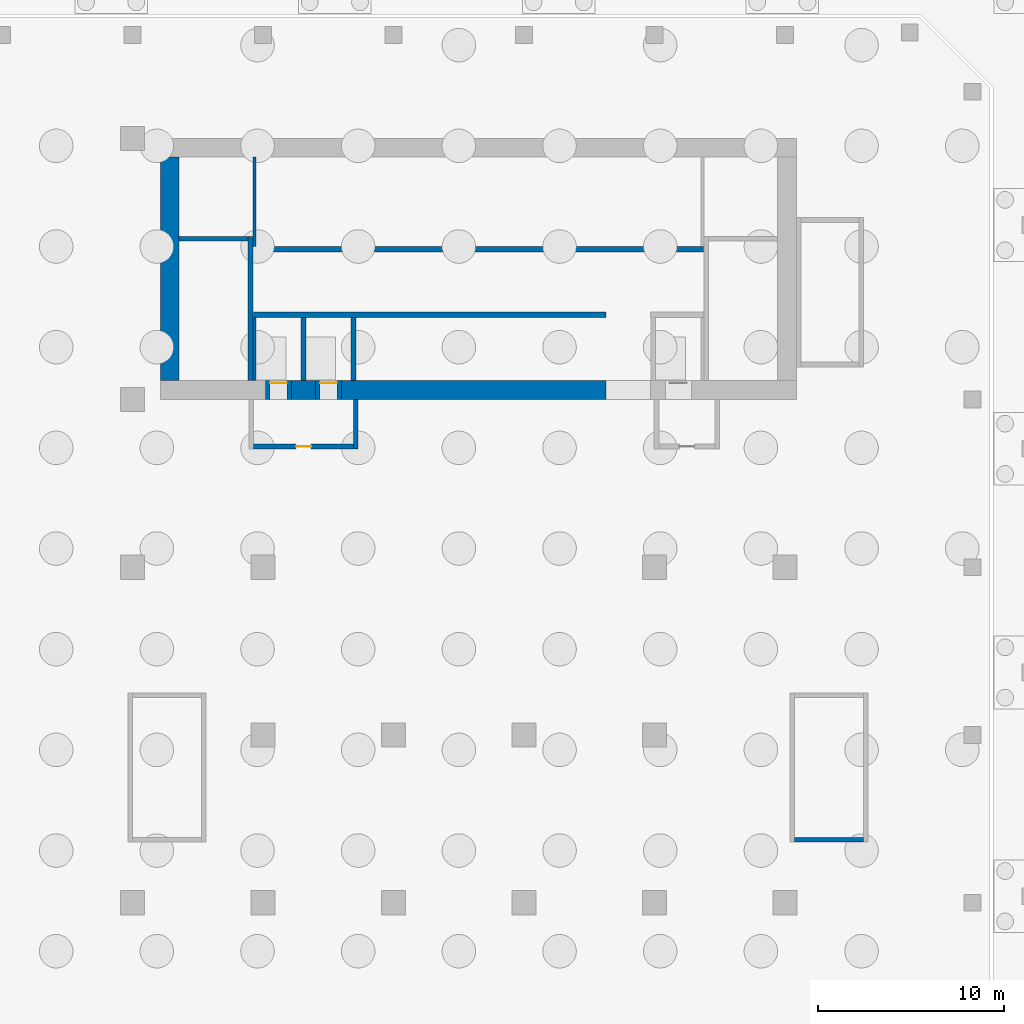
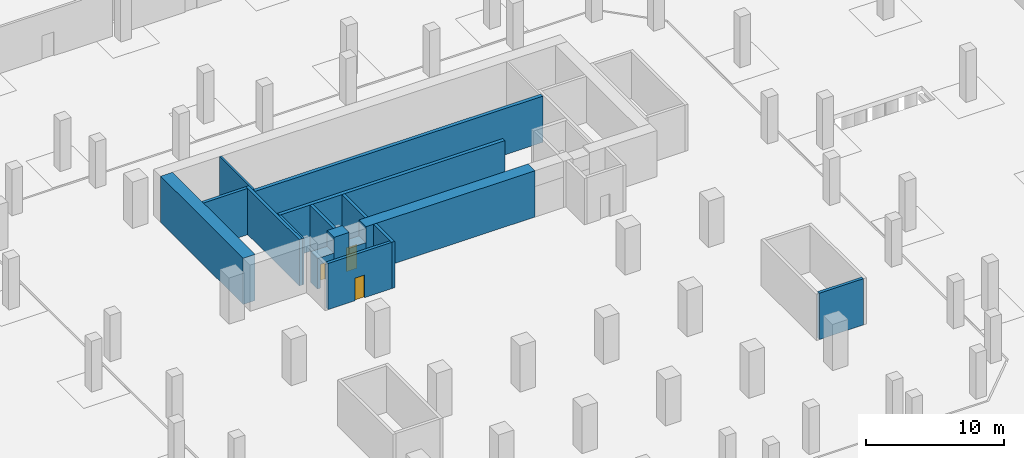
# One storey, part 8 of 15: 16 walls, 3 doors, 3 openings.
"""IFC4 building model written with IfcOpenShell, lengths in metres."""

from ifc_helpers import new_model, si_unit, direction, frame, frame_2d, origin, place, context, subcontext, project, spatial, rectangle, extrude, source, transform, mapped, material, layer, layer_set, type_object, element, fill, save


model = new_model("IFC4")

# Units and contexts
model_context = context("Model", 3, precision=1e-05, world=origin(), true_north=direction((0.0, 1.0)))
body_context = subcontext(model_context, "Body", "Model", "MODEL_VIEW")
ifc_project = project(units=[si_unit("LENGTHUNIT", "METRE"), si_unit("AREAUNIT", "SQUARE_METRE"), si_unit("VOLUMEUNIT", "CUBIC_METRE"), si_unit("PLANEANGLEUNIT", "RADIAN"), si_unit("MASSUNIT", "GRAM", prefix="KILO")], contexts=[model_context])

# Site, building, storey
site_placement = place(None, origin())
site = spatial("IfcSite", under=ifc_project, at=site_placement, CompositionType="ELEMENT")
building_placement = place(site_placement, origin())
building = spatial("IfcBuilding", under=site, at=building_placement, Name="Kilnfold Tower and Market Hall", CompositionType="ELEMENT")
storey_placement = place(building_placement, frame((0.0, 0.0, -9.0)))
storey = spatial("IfcBuildingStorey", under=building, at=storey_placement, Name="B2", CompositionType="ELEMENT", Elevation=-9.0)

# Walls
ifc_material_1 = material(Name="Concrete C80", Category="concrete")
ifc_layer_1 = layer(ifc_material_1, 1.0)
ifc_layer_set_1 = layer_set([ifc_layer_1], Name="Concrete C80")
wall_type_1 = type_object("IfcWallType", Name="CORE WALL 1000 C80", PredefinedType="SHEAR", material=ifc_layer_set_1)
shared_shape_1 = source(origin(), body_context, "Body", "SweptSolid", [
    extrude(rectangle(XDim=1.280029296875, YDim=1.0, at=frame_2d((0.64013671875, 0.0))), origin(), (0.0, 0.0, 1.0), 4.10009765625),
])
wall_1_placement = place(storey_placement, frame((-8.969970703125, 8.5, 0.0), z_axis=(0.0, 0.0, 1.0), x_axis=(1.0, 0.0, 0.0)))
element("IfcWall", 1, at=wall_1_placement, inside=storey, type_object=wall_type_1, Name="Core outer wall south", PredefinedType="SHEAR", context=body_context, shape_type="MappedRepresentation", body=[
    mapped(shared_shape_1, transform((0.0, 0.0, 0.0))),
])
shared_shape_2 = source(origin(), body_context, "Body", "SweptSolid", [
    extrude(rectangle(XDim=14.179931640625, YDim=1.0, at=frame_2d((7.08984375, 0.0))), origin(), (0.0, 0.0, 1.0), 4.10009765625),
])
wall_2_placement = place(storey_placement, frame((-6.2900390625, 8.5, 0.0), z_axis=(0.0, 0.0, 1.0), x_axis=(1.0, 0.0, 0.0)))
element("IfcWall", 2, at=wall_2_placement, inside=storey, type_object=wall_type_1, Name="Core outer wall south", PredefinedType="SHEAR", context=body_context, shape_type="MappedRepresentation", body=[
    mapped(shared_shape_2, transform((0.0, 0.0, 0.0))),
])
shared_shape_3 = source(origin(), body_context, "Body", "SweptSolid", [
    extrude(rectangle(XDim=12.0, YDim=1.0, at=frame_2d((6.0, 0.0))), origin(), (0.0, 0.0, 1.0), 4.10009765625),
])
wall_3_placement = place(storey_placement, frame((-15.5, 9.0, 0.0), z_axis=(0.0, 0.0, 1.0), x_axis=(0.0, 1.0, 0.0)))
element("IfcWall", 3, at=wall_3_placement, inside=storey, type_object=wall_type_1, Name="Core outer wall west", PredefinedType="SHEAR", context=body_context, shape_type="MappedRepresentation", body=[
    mapped(shared_shape_3, transform((0.0, 0.0, 0.0))),
])
ifc_material_2 = material(Name="Concrete C80", Category="concrete")
ifc_layer_2 = layer(ifc_material_2, 0.25)
ifc_layer_set_2 = layer_set([ifc_layer_2], Name="Concrete C80")
wall_type_2 = type_object("IfcWallType", Name="CORE WALL 250 C80", PredefinedType="SHEAR", material=ifc_layer_set_2)
shared_shape_4 = source(origin(), body_context, "Body", "SweptSolid", [
    extrude(rectangle(XDim=7.75, YDim=0.25, at=frame_2d((3.875, 0.0))), origin(), (0.0, 0.0, 1.0), 4.10009765625),
])
wall_4_placement = place(storey_placement, frame((-11.175048828125, 9.0, 0.0), z_axis=(0.0, 0.0, 1.0), x_axis=(0.0, 1.0, 0.0)))
element("IfcWall", 4, at=wall_4_placement, inside=storey, type_object=wall_type_2, Name="Stair enclosure ST1", PredefinedType="SHEAR", context=body_context, shape_type="MappedRepresentation", body=[
    mapped(shared_shape_4, transform((0.0, 0.0, 0.0))),
])
shared_shape_5 = source(origin(), body_context, "Body", "SweptSolid", [
    extrude(rectangle(XDim=3.699951171875, YDim=0.25, at=frame_2d((1.85009765625, 0.0))), origin(), (0.0, 0.0, 1.0), 4.10009765625),
])
for number, where, z_axis, x_axis, name in (
    (5, (-15.0, 16.625, 0.0), (0.0, 0.0, 1.0), (1.0, 0.0, 0.0), "Stair enclosure ST1"),
    (6, (18.0, -15.625, 0.0), (0.0, 0.0, 1.0), (1.0, 0.0, 0.0), "Stair enclosure ST4"),
):
    element("IfcWall", number, at=place(storey_placement, frame(where, z_axis=z_axis, x_axis=x_axis)), inside=storey, type_object=wall_type_2, Name=name, PredefinedType="SHEAR", context=body_context, shape_type="MappedRepresentation", body=[
        mapped(shared_shape_5, transform((0.0, 0.0, 0.0))),
    ])
ifc_material_3 = material(Name="Concrete C80", Category="concrete")
ifc_layer_3 = layer(ifc_material_3, 0.300048828125)
ifc_layer_set_3 = layer_set([ifc_layer_3], Name="Concrete C80")
wall_type_3 = type_object("IfcWallType", Name="CORE WALL 300 C80", PredefinedType="SHEAR", material=ifc_layer_set_3)
shared_shape_6 = source(origin(), body_context, "Body", "SweptSolid", [
    extrude(rectangle(XDim=18.89990234375, YDim=0.300048828125, at=frame_2d((9.449951171875, 0.0))), origin(), (0.0, 0.0, 1.0), 4.10009765625),
])
wall_5_placement = place(storey_placement, frame((-11.010009765625, 12.550048828125, 0.0), z_axis=(0.0, 0.0, 1.0), x_axis=(1.0, 0.0, 0.0)))
element("IfcWall", 7, at=wall_5_placement, inside=storey, type_object=wall_type_3, Name="Core spine wall", PredefinedType="SHEAR", context=body_context, shape_type="MappedRepresentation", body=[
    mapped(shared_shape_6, transform((0.0, 0.0, 0.0))),
])
shared_shape_7 = source(origin(), body_context, "Body", "SweptSolid", [
    extrude(rectangle(XDim=24.1201171875, YDim=0.300048828125, at=frame_2d((12.06005859375, 0.0))), origin(), (0.0, 0.0, 1.0), 4.10009765625),
])
wall_6_placement = place(storey_placement, frame((-11.010009765625, 16.050048828125, 0.0), z_axis=(0.0, 0.0, 1.0), x_axis=(1.0, 0.0, 0.0)))
element("IfcWall", 8, at=wall_6_placement, inside=storey, type_object=wall_type_3, Name="Core spine wall", PredefinedType="SHEAR", context=body_context, shape_type="MappedRepresentation", body=[
    mapped(shared_shape_7, transform((0.0, 0.0, 0.0))),
])
ifc_material_4 = material(Name="Gypsum shaft wall system")
ifc_layer_4 = layer(ifc_material_4, 0.25)
ifc_layer_set_4 = layer_set([ifc_layer_4], Name="Gypsum shaft wall system")
wall_type_4 = type_object("IfcWallType", Name="LOBBY WALL 250", PredefinedType="PARTITIONING", material=ifc_layer_set_4)
shared_shape_8 = source(origin(), body_context, "Body", "SweptSolid", [
    extrude(rectangle(XDim=2.64990234375, YDim=0.25, at=frame_2d((1.324951171875, 0.0))), origin(), (0.0, 0.0, 1.0), 4.10009765625),
])
wall_7_placement = place(storey_placement, frame((-5.52490234375, 5.35009765625, 0.0), z_axis=(0.0, 0.0, 1.0), x_axis=(0.0, 1.0, 0.0)))
element("IfcWall", 9, at=wall_7_placement, inside=storey, type_object=wall_type_4, Name="Firefighting lobby wall", PredefinedType="PARTITIONING", context=body_context, shape_type="MappedRepresentation", body=[
    mapped(shared_shape_8, transform((0.0, 0.0, 0.0))),
])

# Wall, opening, door
shared_shape_9 = source(origin(), body_context, "Body", "SweptSolid", [
    extrude(rectangle(XDim=5.360107421875, YDim=0.25, at=frame_2d((2.68017578125, 0.0))), origin(), (0.0, 0.0, 1.0), 4.10009765625),
])
wall_8_placement = place(storey_placement, frame((-11.010009765625, 5.47509765625, 0.0), z_axis=(0.0, 0.0, 1.0), x_axis=(1.0, 0.0, 0.0)))
wall_8 = element("IfcWall", 10, at=wall_8_placement, inside=storey, type_object=wall_type_4, Name="Firefighting lobby wall", PredefinedType="PARTITIONING", context=body_context, shape_type="MappedRepresentation", body=[
    mapped(shared_shape_9, transform((0.0, 0.0, 0.0))),
])
opening_1_placement = place(wall_8_placement, frame((2.280029296875, 0.0, 0.0)))
opening_1 = element("IfcOpeningElement", 11, at=opening_1_placement, cuts=wall_8, Name="Opening VD1", PredefinedType="OPENING", context=body_context, shape_type="SweptSolid", body=[
    extrude(rectangle(XDim=0.800048828125, YDim=2.0, at=frame_2d((0.39990234375, 1.0))), frame((0.0, 0.135009765625, 0.0), z_axis=(0.0, -1.0, 0.0), x_axis=(1.0, 0.0, 0.0)), (0.0, 0.0, 1.0), 0.27001953125),
])
ifc_material_5 = material(Name="Steel door set with fire-resisting leaf", Category="steel")
door_type_1 = type_object("IfcDoorType", Name="FIREFIGHTING LOBBY DOOR 800X2000", OperationType="NOTDEFINED", PredefinedType="DOOR", material=ifc_material_5)
door_1_placement = place(opening_1_placement, origin())
door_1 = element("IfcDoor", 12, at=door_1_placement, inside=storey, type_object=door_type_1, Name="Firefighting lobby door", OperationType="SINGLE_SWING_LEFT", OverallHeight=2.0, OverallWidth=0.800048828125, PredefinedType="DOOR", context=body_context, shape_type="SweptSolid", body=[
    extrude(rectangle(XDim=0.800048828125, YDim=2.0, at=frame_2d((0.39990234375, 1.0))), frame((0.0, 0.02490234375, 0.0), z_axis=(0.0, -1.0, 0.0), x_axis=(1.0, 0.0, 0.0)), (0.0, 0.0, 1.0), 0.050048828125),
])
fill(opening_1, door_1)

# Walls
ifc_material_6 = material(Name="Gypsum shaft wall system")
ifc_layer_5 = layer(ifc_material_6, 0.1650390625)
ifc_layer_set_5 = layer_set([ifc_layer_5], Name="Gypsum shaft wall system")
wall_type_5 = type_object("IfcWallType", Name="SHAFT WALL 165", PredefinedType="PARTITIONING", material=ifc_layer_set_5)
shared_shape_10 = source(origin(), body_context, "Body", "SweptSolid", [
    extrude(rectangle(XDim=4.800048828125, YDim=0.1650390625, at=frame_2d((2.39990234375, 0.0))), origin(), (0.0, 0.0, 1.0), 4.10009765625),
])
wall_9_placement = place(storey_placement, frame((-10.967529296875, 16.199951171875, 0.0), z_axis=(0.0, 0.0, 1.0), x_axis=(0.0, 1.0, 0.0)))
element("IfcWall", 13, at=wall_9_placement, inside=storey, type_object=wall_type_5, Name="Lift shaft wall", PredefinedType="PARTITIONING", context=body_context, shape_type="MappedRepresentation", body=[
    mapped(shared_shape_10, transform((0.0, 0.0, 0.0))),
])
ifc_material_7 = material(Name="Gypsum shaft wall system")
ifc_layer_6 = layer(ifc_material_7, 0.25)
ifc_layer_set_6 = layer_set([ifc_layer_6], Name="Gypsum shaft wall system")
wall_type_6 = type_object("IfcWallType", Name="SHAFT WALL 250", PredefinedType="PARTITIONING", material=ifc_layer_set_6)
shared_shape_11 = source(origin(), body_context, "Body", "SweptSolid", [
    extrude(rectangle(XDim=3.39990234375, YDim=0.25, at=frame_2d((1.699951171875, 0.0))), origin(), (0.0, 0.0, 1.0), 4.10009765625),
])
for number, where, z_axis, x_axis, name in (
    (14, (-5.64990234375, 9.0, 0.0), (0.0, 0.0, 1.0), (0.0, 1.0, 0.0), "Lift shaft wall"),
    (15, (-8.330078125, 9.0, 0.0), (0.0, 0.0, 1.0), (0.0, 1.0, 0.0), "Lift shaft wall"),
):
    element("IfcWall", number, at=place(storey_placement, frame(where, z_axis=z_axis, x_axis=x_axis)), inside=storey, type_object=wall_type_6, Name=name, PredefinedType="PARTITIONING", context=body_context, shape_type="MappedRepresentation", body=[
        mapped(shared_shape_11, transform((0.0, 0.0, 0.0))),
    ])
shared_shape_12 = source(origin(), body_context, "Body", "SweptSolid", [
    extrude(rectangle(XDim=3.39990234375, YDim=0.1650390625, at=frame_2d((1.699951171875, 0.0))), origin(), (0.0, 0.0, 1.0), 4.10009765625),
])
wall_10_placement = place(storey_placement, frame((-10.967529296875, 9.0, 0.0), z_axis=(0.0, 0.0, 1.0), x_axis=(0.0, 1.0, 0.0)))
element("IfcWall", 16, at=wall_10_placement, inside=storey, type_object=wall_type_5, Name="Lift shaft wall", PredefinedType="PARTITIONING", context=body_context, shape_type="MappedRepresentation", body=[
    mapped(shared_shape_12, transform((0.0, 0.0, 0.0))),
])

# Wall, opening, door
ifc_material_8 = material(Name="Gypsum shaft wall system")
ifc_layer_7 = layer(ifc_material_8, 1.0)
ifc_layer_set_7 = layer_set([ifc_layer_7], Name="Gypsum shaft wall system")
wall_type_7 = type_object("IfcWallType", Name="LOBBY WALL 1000", PredefinedType="PARTITIONING", material=ifc_layer_set_7)
shared_shape_13 = source(origin(), body_context, "Body", "SweptSolid", [
    extrude(rectangle(XDim=1.400146484375, YDim=1.0, at=frame_2d((0.7001953125, 0.0))), origin(), (0.0, 0.0, 1.0), 2.699951171875),
])
wall_11_placement = place(storey_placement, frame((-10.3701171875, 8.5, 0.0), z_axis=(0.0, 0.0, 1.0), x_axis=(1.0, 0.0, 0.0)))
wall_11 = element("IfcWall", 17, at=wall_11_placement, inside=storey, type_object=wall_type_7, Name="Core wall infill", PredefinedType="PARTITIONING", context=body_context, shape_type="MappedRepresentation", body=[
    mapped(shared_shape_13, transform((0.0, 0.0, 0.0))),
])
opening_2_placement = place(wall_11_placement, frame((0.25, 0.0, 0.0)))
opening_2 = element("IfcOpeningElement", 18, at=opening_2_placement, cuts=wall_11, Name="Opening LD1", PredefinedType="OPENING", context=body_context, shape_type="SweptSolid", body=[
    extrude(rectangle(XDim=0.89990234375, YDim=2.10009765625, at=frame_2d((0.449951171875, 1.050048828125))), frame((0.0, 0.510009765625, 0.0), z_axis=(0.0, -1.0, 0.0), x_axis=(1.0, 0.0, 0.0)), (0.0, 0.0, 1.0), 1.02001953125),
])
ifc_material_9 = material(Name="Steel door set with fire-resisting leaf", Category="steel")
door_type_2 = type_object("IfcDoorType", Name="FIREFIGHTING LANDING DOOR 900X2100", OperationType="NOTDEFINED", PredefinedType="DOOR", material=ifc_material_9)
door_2_placement = place(opening_2_placement, origin())
door_2 = element("IfcDoor", 19, at=door_2_placement, inside=storey, type_object=door_type_2, Name="Landing door FF1", OperationType="SLIDING_TO_LEFT", OverallHeight=2.10009765625, OverallWidth=0.89990234375, PredefinedType="DOOR", context=body_context, shape_type="SweptSolid", body=[
    extrude(rectangle(XDim=0.89990234375, YDim=2.10009765625, at=frame_2d((0.449951171875, 1.050048828125))), frame((0.0, 0.40478515625, 0.0), z_axis=(0.0, -1.0, 0.0), x_axis=(1.0, 0.0, 0.0)), (0.0, 0.0, 1.0), 0.050048828125),
])
fill(opening_2, door_2)

shared_shape_14 = source(origin(), body_context, "Body", "SweptSolid", [
    extrude(rectangle(XDim=1.39990234375, YDim=1.0, at=frame_2d((0.699951171875, 0.0))), origin(), (0.0, 0.0, 1.0), 2.699951171875),
])
wall_12_placement = place(storey_placement, frame((-7.68994140625, 8.5, 0.0), z_axis=(0.0, 0.0, 1.0), x_axis=(1.0, 0.0, 0.0)))
wall_12 = element("IfcWall", 20, at=wall_12_placement, inside=storey, type_object=wall_type_7, Name="Core wall infill", PredefinedType="PARTITIONING", context=body_context, shape_type="MappedRepresentation", body=[
    mapped(shared_shape_14, transform((0.0, 0.0, 0.0))),
])
opening_3_placement = place(wall_12_placement, frame((0.25, 0.0, 0.0)))
opening_3 = element("IfcOpeningElement", 21, at=opening_3_placement, cuts=wall_12, Name="Opening LD1", PredefinedType="OPENING", context=body_context, shape_type="SweptSolid", body=[
    extrude(rectangle(XDim=0.89990234375, YDim=2.10009765625, at=frame_2d((0.449951171875, 1.050048828125))), frame((0.0, 0.510009765625, 0.0), z_axis=(0.0, -1.0, 0.0), x_axis=(1.0, 0.0, 0.0)), (0.0, 0.0, 1.0), 1.02001953125),
])
door_3_placement = place(opening_3_placement, origin())
door_3 = element("IfcDoor", 22, at=door_3_placement, inside=storey, type_object=door_type_2, Name="Landing door FF2", OperationType="SLIDING_TO_RIGHT", OverallHeight=2.10009765625, OverallWidth=0.89990234375, PredefinedType="DOOR", context=body_context, shape_type="SweptSolid", body=[
    extrude(rectangle(XDim=0.89990234375, YDim=2.10009765625, at=frame_2d((0.449951171875, 1.050048828125))), frame((0.0, 0.40478515625, 0.0), z_axis=(0.0, -1.0, 0.0), x_axis=(1.0, 0.0, 0.0)), (0.0, 0.0, 1.0), 0.050048828125),
])
fill(opening_3, door_3)

save(model, "model.ifc")
